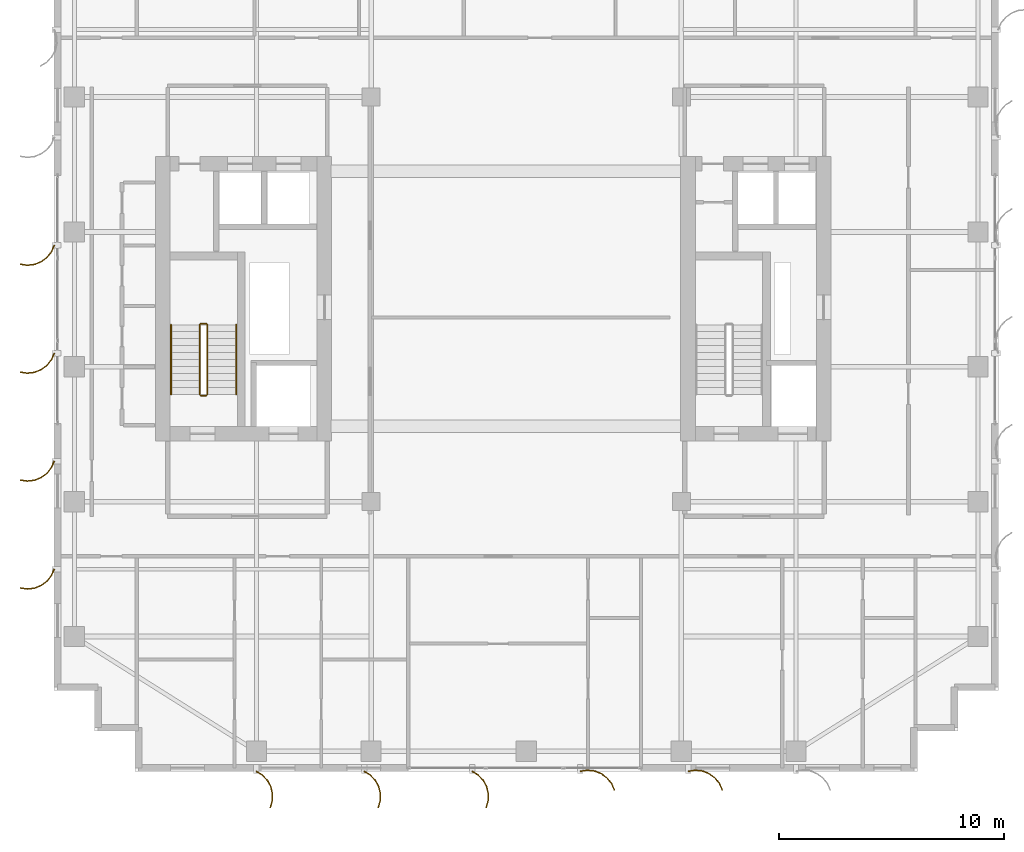
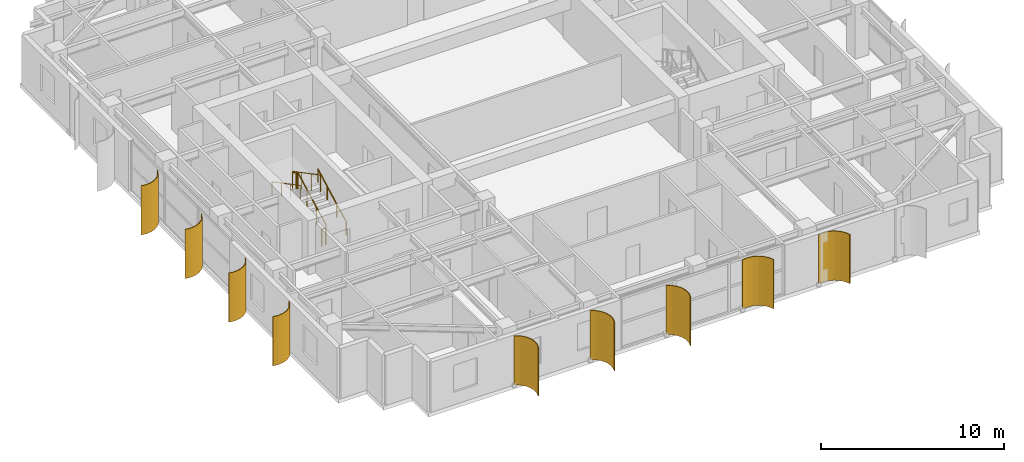
# One storey, part 20 of 22: 9 shading devices, 6 railings.
"""IFC4 building model written with IfcOpenShell, lengths in metres."""

from ifc_helpers import new_model, si_unit, direction, frame, origin, origin_2d, place, context, subcontext, project, spatial, polyline, circle, outline, extrude, source, transform, mapped, material, layer, layer_set, type_object, element, save


model = new_model("IFC4")

# Units and contexts
model_context = context("Model", 3, precision=1e-05, world=origin(), true_north=direction((0.0, 1.0)))
body_context = subcontext(model_context, "Body", "Model", "MODEL_VIEW")
ifc_project = project(units=[si_unit("LENGTHUNIT", "METRE"), si_unit("AREAUNIT", "SQUARE_METRE"), si_unit("VOLUMEUNIT", "CUBIC_METRE"), si_unit("PLANEANGLEUNIT", "RADIAN"), si_unit("MASSUNIT", "GRAM", prefix="KILO")], contexts=[model_context])

# Site, building, storey
site_placement = place(None, origin())
site = spatial("IfcSite", under=ifc_project, at=site_placement, CompositionType="ELEMENT")
building_placement = place(site_placement, origin())
building = spatial("IfcBuilding", under=site, at=building_placement, Name="Khoralis Quay Care Tower", CompositionType="ELEMENT")
storey_placement = place(building_placement, frame((0.0, 0.0, 180.89990234375)))
storey = spatial("IfcBuildingStorey", under=building, at=storey_placement, Name="L47", CompositionType="ELEMENT", Elevation=180.89990234375)

# Railings
ifc_material_1 = material(Name="Brushed stainless steel", Category="steel")
railing_type_1 = type_object("IfcRailingType", Name="RL-GUARD-1150", PredefinedType="GUARDRAIL", material=ifc_material_1)
railing_1_placement = place(storey_placement, frame((9.820068359375, 16.77001953125, 0.163818359375)))
element("IfcRailing", 1, at=railing_1_placement, inside=storey, type_object=railing_type_1, Name="L47 ST-T1 stair guard 1", PredefinedType="GUARDRAIL", context=body_context, shape_type="SweptSolid", body=[
    extrude(circle(Radius=0.02392578125, at=origin_2d()), frame((0.0, 0.0, 1.1259765625), z_axis=(0.0, 0.884376766648, 0.46677375099), x_axis=(-1.0, 0.0, 0.0)), (0.0, 0.0, 1.0), 3.50537109375),
    extrude(circle(Radius=0.02099609375, at=origin_2d()), origin(), (0.0, 0.0, 1.0), 1.101806640625),
    extrude(circle(Radius=0.02099609375, at=origin_2d()), frame((0.0, 1.033447265625, 0.54541015625)), (0.0, 0.0, 1.0), 1.101806640625),
    extrude(circle(Radius=0.02099609375, at=origin_2d()), frame((0.0, 2.066650390625, 1.0908203125)), (0.0, 0.0, 1.0), 1.101806640625),
    extrude(circle(Radius=0.02099609375, at=origin_2d()), frame((0.0, 3.10009765625, 1.63623046875)), (0.0, 0.0, 1.0), 1.101806640625),
])
railing_2_placement = place(storey_placement, frame((9.77001953125, 19.919921875, 1.800048828125)))
element("IfcRailing", 2, at=railing_2_placement, inside=storey, type_object=railing_type_1, Name="L47 ST-T1 stair guard 2", PredefinedType="GUARDRAIL", context=body_context, shape_type="SweptSolid", body=[
    extrude(circle(Radius=0.02392578125, at=origin_2d()), frame((0.0, 0.0, 1.1259765625), z_axis=(-1.0, 0.0, 0.0), x_axis=(0.0, -1.0, 0.0)), (0.0, 0.0, 1.0), 0.239990234375),
    extrude(circle(Radius=0.02099609375, at=origin_2d()), origin(), (0.0, 0.0, 1.0), 1.101806640625),
    extrude(circle(Radius=0.02099609375, at=origin_2d()), frame((-0.239990234375, 0.0, 0.0)), (0.0, 0.0, 1.0), 1.101806640625),
])
railing_3_placement = place(storey_placement, frame((9.47998046875, 19.8701171875, 1.963623046875)))
element("IfcRailing", 3, at=railing_3_placement, inside=storey, type_object=railing_type_1, Name="L47 ST-T1 stair guard 3", PredefinedType="GUARDRAIL", context=body_context, shape_type="SweptSolid", body=[
    extrude(circle(Radius=0.02392578125, at=origin_2d()), frame((0.0, 0.0, 1.1259765625), z_axis=(0.0, -0.884348015382, 0.466828220752), x_axis=(1.0, 0.0, 0.0)), (0.0, 0.0, 1.0), 3.505615234375),
    extrude(circle(Radius=0.02099609375, at=origin_2d()), origin(), (0.0, 0.0, 1.0), 1.101806640625),
    extrude(circle(Radius=0.02099609375, at=origin_2d()), frame((0.0, -1.033447265625, 0.54541015625)), (0.0, 0.0, 1.0), 1.101806640625),
    extrude(circle(Radius=0.02099609375, at=origin_2d()), frame((0.0, -2.066650390625, 1.091064453125)), (0.0, 0.0, 1.0), 1.101806640625),
    extrude(circle(Radius=0.02099609375, at=origin_2d()), frame((0.0, -3.10009765625, 1.636474609375)), (0.0, 0.0, 1.0), 1.101806640625),
])
railing_4_placement = place(storey_placement, frame((9.77001953125, 16.719970703125, 0.0)))
element("IfcRailing", 4, at=railing_4_placement, inside=storey, type_object=railing_type_1, Name="L47 ST-T1 stair guard 4", PredefinedType="GUARDRAIL", context=body_context, shape_type="SweptSolid", body=[
    extrude(circle(Radius=0.02392578125, at=origin_2d()), frame((0.0, 0.0, 1.1259765625), z_axis=(-1.0, 0.0, 0.0), x_axis=(0.0, -1.0, 0.0)), (0.0, 0.0, 1.0), 0.239990234375),
    extrude(circle(Radius=0.02099609375, at=origin_2d()), origin(), (0.0, 0.0, 1.0), 1.101806640625),
    extrude(circle(Radius=0.02099609375, at=origin_2d()), frame((-0.239990234375, 0.0, 0.0)), (0.0, 0.0, 1.0), 1.101806640625),
])
railing_type_2 = type_object("IfcRailingType", Name="RL-HAND-900", PredefinedType="HANDRAIL", material=ifc_material_1)
railing_5_placement = place(storey_placement, frame((11.10009765625, 16.77001953125, 0.163818359375)))
element("IfcRailing", 5, at=railing_5_placement, inside=storey, type_object=railing_type_2, Name="L47 ST-T1 stair handrail 1", PredefinedType="HANDRAIL", context=body_context, shape_type="SweptSolid", body=[
    extrude(circle(Radius=0.02392578125, at=origin_2d()), frame((0.0, 0.0, 0.8759765625), z_axis=(0.0, 0.884376766648, 0.46677375099), x_axis=(-1.0, 0.0, 0.0)), (0.0, 0.0, 1.0), 3.50537109375),
    extrude(circle(Radius=0.02099609375, at=origin_2d()), origin(), (0.0, 0.0, 1.0), 0.851806640625),
    extrude(circle(Radius=0.02099609375, at=origin_2d()), frame((0.0, 1.033447265625, 0.54541015625)), (0.0, 0.0, 1.0), 0.851806640625),
    extrude(circle(Radius=0.02099609375, at=origin_2d()), frame((0.0, 2.066650390625, 1.0908203125)), (0.0, 0.0, 1.0), 0.851806640625),
    extrude(circle(Radius=0.02099609375, at=origin_2d()), frame((0.0, 3.10009765625, 1.63623046875)), (0.0, 0.0, 1.0), 0.851806640625),
])
railing_6_placement = place(storey_placement, frame((8.199951171875, 19.8701171875, 1.963623046875)))
element("IfcRailing", 6, at=railing_6_placement, inside=storey, type_object=railing_type_2, Name="L47 ST-T1 stair handrail 2", PredefinedType="HANDRAIL", context=body_context, shape_type="SweptSolid", body=[
    extrude(circle(Radius=0.02392578125, at=origin_2d()), frame((0.0, 0.0, 0.8759765625), z_axis=(0.0, -0.884348015382, 0.466828220752), x_axis=(1.0, 0.0, 0.0)), (0.0, 0.0, 1.0), 3.505615234375),
    extrude(circle(Radius=0.02099609375, at=origin_2d()), origin(), (0.0, 0.0, 1.0), 0.851806640625),
    extrude(circle(Radius=0.02099609375, at=origin_2d()), frame((0.0, -1.033447265625, 0.54541015625)), (0.0, 0.0, 1.0), 0.851806640625),
    extrude(circle(Radius=0.02099609375, at=origin_2d()), frame((0.0, -2.066650390625, 1.091064453125)), (0.0, 0.0, 1.0), 0.851806640625),
    extrude(circle(Radius=0.02099609375, at=origin_2d()), frame((0.0, -3.10009765625, 1.636474609375)), (0.0, 0.0, 1.0), 0.851806640625),
])

# Shading devices
ifc_material_2 = material(Name="Brushed pale anodised aluminium", Category="aluminium")
ifc_layer = layer(ifc_material_2, 0.044921875)
ifc_layer_set = layer_set([ifc_layer], Name="Brushed pale anodised aluminium")
shading_device_type = type_object("IfcShadingDeviceType", Name="SHD-FIN-1250", PredefinedType="USERDEFINED", material=ifc_layer_set)
shared_shape_1 = source(origin(), body_context, "Body", "SweptSolid", [
    extrude(outline(polyline([(0.0, 0.0), (0.17041015625, 0.2783203125), (0.4072265625, 0.5029296875), (0.694091796875, 0.658447265625), (1.01123046875, 0.734619140625), (1.33740234375, 0.72607421875), (1.650390625, 0.633544921875), (1.632080078125, 0.59228515625), (1.330322265625, 0.681640625), (1.015869140625, 0.68994140625), (0.710205078125, 0.616455078125), (0.43359375, 0.466552734375), (0.20556640625, 0.25), (0.041015625, -0.018310546875), (0.0, 0.0)])), origin(), (0.0, 0.0, 1.0), 3.280029296875),
])
for number, where, z_axis, x_axis, name in (
    (7, (12.0, 0.030029296875, 0.02001953125), (0.0, 0.0, 1.0), (0.0, -1.0, 0.0), "L47 Curved Solar Fin P1E0-01"),
    (8, (16.800048828125, 0.030029296875, 0.02001953125), (0.0, 0.0, 1.0), (0.0, -1.0, 0.0), "L47 Curved Solar Fin P1E0-02"),
    (9, (21.60009765625, 0.030029296875, 0.02001953125), (0.0, 0.0, 1.0), (0.0, -1.0, 0.0), "L47 Curved Solar Fin P1E0-03"),
):
    element("IfcShadingDevice", number, at=place(storey_placement, frame(where, z_axis=z_axis, x_axis=x_axis)), inside=storey, type_object=shading_device_type, Name=name, ObjectType="FIN", PredefinedType="USERDEFINED", context=body_context, shape_type="MappedRepresentation", body=[
        mapped(shared_shape_1, transform((0.0, 0.0, 0.0), scale=1.0)),
    ])
shared_shape_2 = source(origin(), body_context, "Body", "SweptSolid", [
    extrude(outline(polyline([(0.0, 0.0), (-0.04833984375, 0.32275390625), (-0.01123046875, 0.64697265625), (0.1083984375, 0.950439453125), (0.302490234375, 1.212890625), (0.557861328125, 1.416015625), (0.85693359375, 1.546142578125), (0.869384765625, 1.5029296875), (0.5810546875, 1.37744140625), (0.334716796875, 1.181640625), (0.147705078125, 0.9287109375), (0.032470703125, 0.635986328125), (-0.003173828125, 0.323486328125), (0.043212890625, 0.012451171875), (0.0, 0.0)])), origin(), (0.0, 0.0, 1.0), 3.280029296875),
])
for number, where, z_axis, x_axis, name in (
    (10, (26.39990234375, 0.030029296875, 0.02001953125), (0.0, 0.0, 1.0), (0.0, -1.0, 0.0), "L47 Curved Solar Fin P1E0-04"),
    (11, (31.199951171875, 0.030029296875, 0.02001953125), (0.0, 0.0, 1.0), (0.0, -1.0, 0.0), "L47 Curved Solar Fin P1E0-05"),
):
    element("IfcShadingDevice", number, at=place(storey_placement, frame(where, z_axis=z_axis, x_axis=x_axis)), inside=storey, type_object=shading_device_type, Name=name, ObjectType="FIN", PredefinedType="USERDEFINED", context=body_context, shape_type="MappedRepresentation", body=[
        mapped(shared_shape_2, transform((0.0, 0.0, 0.0), scale=1.0)),
    ])
shared_shape_3 = source(origin(), body_context, "Body", "SweptSolid", [
    extrude(outline(polyline([(0.0, 0.0), (0.130126953125, 0.29931640625), (0.333251953125, 0.5546875), (0.595458984375, 0.748779296875), (0.899169921875, 0.868408203125), (1.223388671875, 0.9052734375), (1.546142578125, 0.85693359375), (1.53369140625, 0.813720703125), (1.22265625, 0.8603515625), (0.91015625, 0.82470703125), (0.617431640625, 0.70947265625), (0.364501953125, 0.522216796875), (0.168701171875, 0.276123046875), (0.043212890625, -0.012451171875), (0.0, 0.0)])), origin(), (0.0, 0.0, 1.0), 3.280029296875),
])
for number, where, z_axis, x_axis, name in (
    (12, (3.030029296875, 23.39990234375, 0.02001953125), (0.0, 0.0, 1.0), (-1.0, 0.0, 0.0), "L47 Curved Solar Fin P1E15-03"),
    (13, (3.030029296875, 18.60009765625, 0.02001953125), (0.0, 0.0, 1.0), (-1.0, 0.0, 0.0), "L47 Curved Solar Fin P1E15-04"),
    (14, (3.030029296875, 13.800048828125, 0.02001953125), (0.0, 0.0, 1.0), (-1.0, 0.0, 0.0), "L47 Curved Solar Fin P1E15-05"),
    (15, (3.030029296875, 9.0, 0.02001953125), (0.0, 0.0, 1.0), (-1.0, 0.0, 0.0), "L47 Curved Solar Fin P1E15-06"),
):
    element("IfcShadingDevice", number, at=place(storey_placement, frame(where, z_axis=z_axis, x_axis=x_axis)), inside=storey, type_object=shading_device_type, Name=name, ObjectType="FIN", PredefinedType="USERDEFINED", context=body_context, shape_type="MappedRepresentation", body=[
        mapped(shared_shape_3, transform((0.0, 0.0, 0.0), scale=1.0)),
    ])

save(model, "model.ifc")
